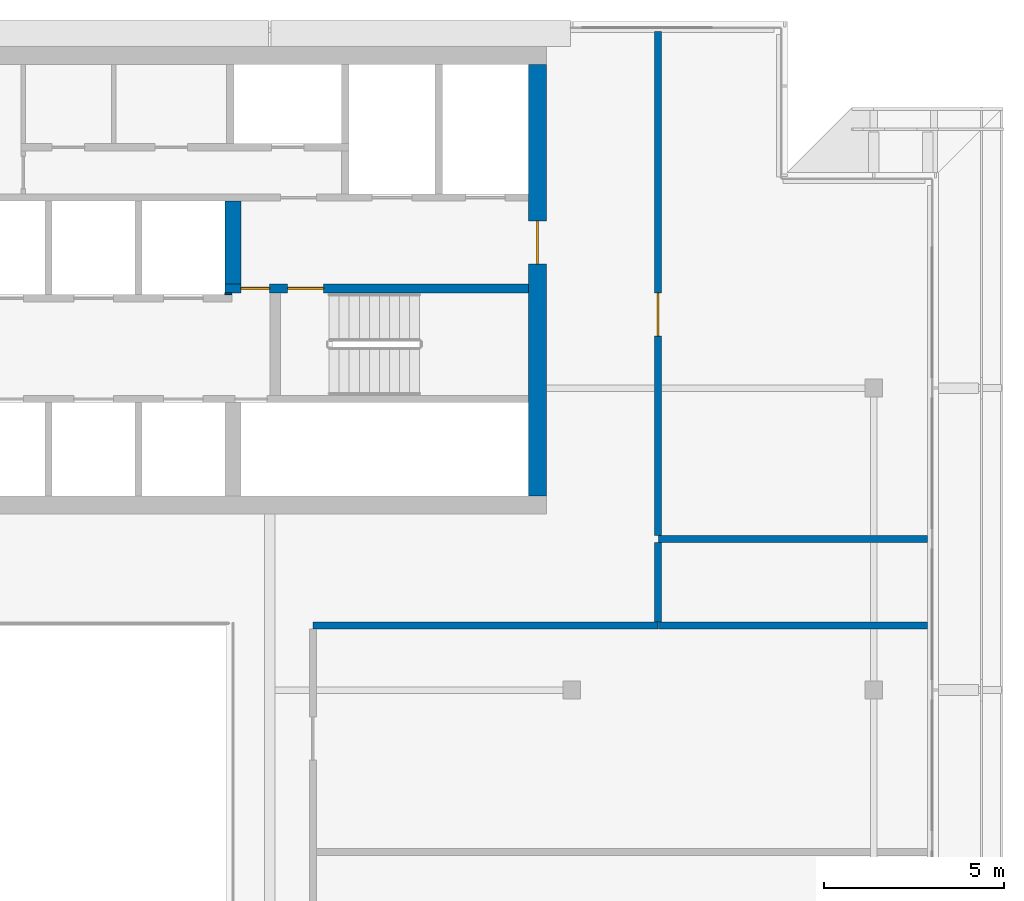
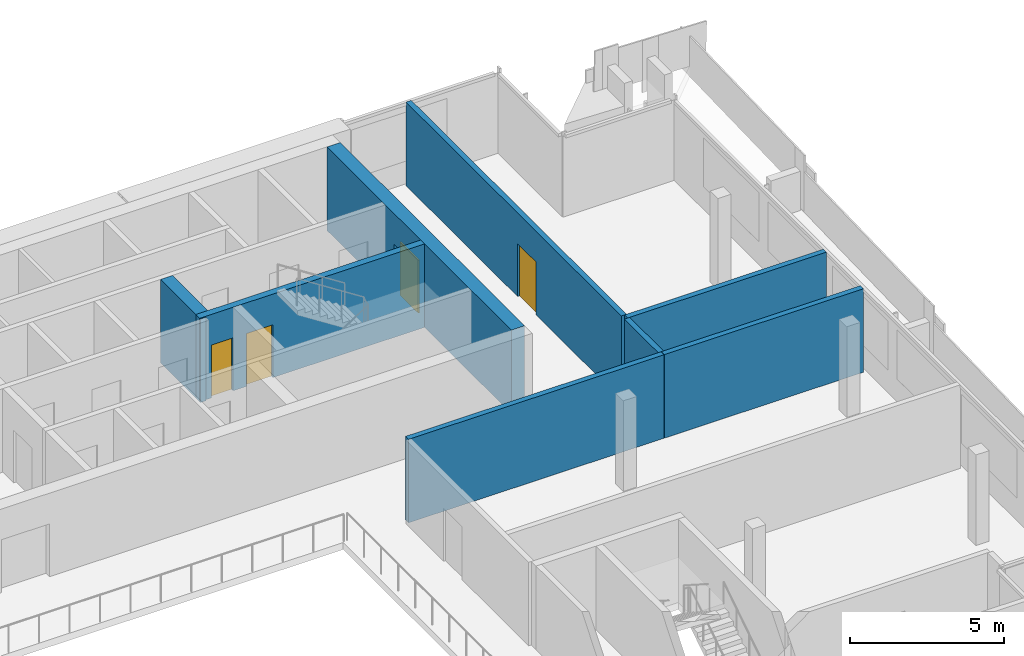
# One storey, part 13 of 20: 9 walls, 4 doors, 4 openings.
"""IFC4 building model written with IfcOpenShell, lengths in metres."""

from ifc_helpers import new_model, si_unit, direction, frame, frame_2d, origin, place, context, subcontext, project, spatial, rectangle, extrude, material, layer, layer_set, type_object, element, fill, save


model = new_model("IFC4")

# Units and contexts
model_context = context("Model", 3, precision=1e-05, world=origin(), true_north=direction((0.0, 1.0)))
body_context = subcontext(model_context, "Body", "Model", "MODEL_VIEW")
ifc_project = project(units=[si_unit("LENGTHUNIT", "METRE"), si_unit("AREAUNIT", "SQUARE_METRE"), si_unit("VOLUMEUNIT", "CUBIC_METRE"), si_unit("PLANEANGLEUNIT", "RADIAN"), si_unit("MASSUNIT", "GRAM", prefix="KILO")], contexts=[model_context])

# Site, building, storey
site_placement = place(None, origin())
site = spatial("IfcSite", under=ifc_project, at=site_placement, CompositionType="ELEMENT")
building_placement = place(site_placement, origin())
building = spatial("IfcBuilding", under=site, at=building_placement, Name="Saffron Gate Tower", CompositionType="ELEMENT")
storey_placement = place(building_placement, frame((0.0, 0.0, 303.14990234375)))
storey = spatial("IfcBuildingStorey", under=building, at=storey_placement, Name="L74", CompositionType="ELEMENT", Elevation=303.14990234375)

# Wall, opening, door
ifc_material_1 = material(Name="Concrete C50", Category="concrete")
ifc_layer_1 = layer(ifc_material_1, 0.5)
ifc_layer_set_1 = layer_set([ifc_layer_1], Name="CW22 RC core wall 500 C50")
wall_type_1 = type_object("IfcWallType", Name="CW22 RC core wall 500 C50", PredefinedType="SOLIDWALL", material=ifc_layer_set_1)
wall_1_placement = place(storey_placement, frame((107.64990234375, 62.39990234375, 0.0), z_axis=(0.0, 0.0, 1.0), x_axis=(0.0, 1.0, 0.0)))
wall_1 = element("IfcWall", 1, at=wall_1_placement, inside=storey, type_object=wall_type_1, Name="Wall CW22-L74-4", PredefinedType="SOLIDWALL", context=body_context, shape_type="SweptSolid", body=[
    extrude(rectangle(XDim=12.0, YDim=0.5, at=frame_2d((6.0, 0.0))), origin(), (0.0, 0.0, 1.0), 3.320068359375),
])
opening_1_placement = place(wall_1_placement, frame((6.449951171875, 0.0, 0.0)))
opening_1 = element("IfcOpeningElement", 2, at=opening_1_placement, cuts=wall_1, Name="Opening CR-08", PredefinedType="OPENING", context=body_context, shape_type="SweptSolid", body=[
    extrude(rectangle(XDim=1.199951171875, YDim=2.10009765625, at=frame_2d((0.60009765625, 1.050048828125))), frame((0.0, 0.260009765625, 0.0), z_axis=(0.0, -1.0, 0.0), x_axis=(1.0, 0.0, 0.0)), (0.0, 0.0, 1.0), 0.52001953125),
])
ifc_material_2 = material(Name="Steel fire door set", Category="steel")
door_type_1 = type_object("IfcDoorType", Name="CD7 Core entrance door 1200x2100 EI 120", OperationType="NOTDEFINED", PredefinedType="DOOR", material=ifc_material_2)
door_1_placement = place(opening_1_placement, origin())
door_1 = element("IfcDoor", 3, at=door_1_placement, inside=storey, type_object=door_type_1, Name="DOOR CR-08", OperationType="SINGLE_SWING_RIGHT", OverallHeight=2.10009765625, OverallWidth=1.199951171875, PredefinedType="DOOR", context=body_context, shape_type="SweptSolid", body=[
    extrude(rectangle(XDim=1.199951171875, YDim=2.10009765625, at=frame_2d((0.60009765625, 1.050048828125))), frame((0.0, 0.02490234375, 0.0), z_axis=(0.0, -1.0, 0.0), x_axis=(1.0, 0.0, 0.0)), (0.0, 0.0, 1.0), 0.050048828125),
])
fill(opening_1, door_1)

# Wall, openings, doors
ifc_layer_2 = layer(ifc_material_1, 0.25)
ifc_layer_set_2 = layer_set([ifc_layer_2], Name="CW23 RC core wall 250 C50")
wall_type_2 = type_object("IfcWallType", Name="CW23 RC core wall 250 C50", PredefinedType="SOLIDWALL", material=ifc_layer_set_2)
wall_2_placement = place(storey_placement, frame((98.949951171875, 68.175048828125, 0.0), z_axis=(0.0, 0.0, 1.0), x_axis=(1.0, 0.0, 0.0)))
wall_2 = element("IfcWall", 4, at=wall_2_placement, inside=storey, type_object=wall_type_2, Name="Wall CW23-L74-28", PredefinedType="SOLIDWALL", context=body_context, shape_type="SweptSolid", body=[
    extrude(rectangle(XDim=8.449951171875, YDim=0.25, at=frame_2d((4.22509765625, 0.0))), origin(), (0.0, 0.0, 1.0), 3.320068359375),
])
opening_2_placement = place(wall_2_placement, frame((0.449951171875, 0.0, 0.0)))
opening_2 = element("IfcOpeningElement", 5, at=opening_2_placement, cuts=wall_2, Name="Opening CR-05", PredefinedType="OPENING", context=body_context, shape_type="SweptSolid", body=[
    extrude(rectangle(XDim=0.800048828125, YDim=2.10009765625, at=frame_2d((0.39990234375, 1.050048828125))), frame((0.0, 0.135009765625, 0.0), z_axis=(0.0, -1.0, 0.0), x_axis=(1.0, 0.0, 0.0)), (0.0, 0.0, 1.0), 0.27001953125),
])
opening_3_placement = place(wall_2_placement, frame((1.75, 0.0, 0.0)))
opening_3 = element("IfcOpeningElement", 6, at=opening_3_placement, cuts=wall_2, Name="Opening CR-16", PredefinedType="OPENING", context=body_context, shape_type="SweptSolid", body=[
    extrude(rectangle(XDim=1.0, YDim=2.10009765625, at=frame_2d((0.5, 1.050048828125))), frame((0.0, 0.135009765625, 0.0), z_axis=(0.0, -1.0, 0.0), x_axis=(1.0, 0.0, 0.0)), (0.0, 0.0, 1.0), 0.27001953125),
])
door_type_2 = type_object("IfcDoorType", Name="CD5 Stair door 1000x2100 EI 120", OperationType="NOTDEFINED", PredefinedType="DOOR", material=ifc_material_2)
door_2_placement = place(opening_3_placement, origin())
door_2 = element("IfcDoor", 7, at=door_2_placement, inside=storey, type_object=door_type_2, Name="DOOR CR-16", OperationType="SINGLE_SWING_RIGHT", OverallHeight=2.10009765625, OverallWidth=1.0, PredefinedType="DOOR", context=body_context, shape_type="SweptSolid", body=[
    extrude(rectangle(XDim=1.0, YDim=2.10009765625, at=frame_2d((0.5, 1.050048828125))), frame((0.0, 0.02490234375, 0.0), z_axis=(0.0, -1.0, 0.0), x_axis=(1.0, 0.0, 0.0)), (0.0, 0.0, 1.0), 0.050048828125),
])
fill(opening_3, door_2)
door_type_3 = type_object("IfcDoorType", Name="CD6 Lobby door 800x2100 EI 120", OperationType="NOTDEFINED", PredefinedType="DOOR", material=ifc_material_2)
door_3_placement = place(opening_2_placement, origin())
door_3 = element("IfcDoor", 8, at=door_3_placement, inside=storey, type_object=door_type_3, Name="DOOR CR-05", OperationType="SINGLE_SWING_LEFT", OverallHeight=2.10009765625, OverallWidth=0.800048828125, PredefinedType="DOOR", context=body_context, shape_type="SweptSolid", body=[
    extrude(rectangle(XDim=0.800048828125, YDim=2.10009765625, at=frame_2d((0.39990234375, 1.050048828125))), frame((0.0, 0.02490234375, 0.0), z_axis=(0.0, -1.0, 0.0), x_axis=(1.0, 0.0, 0.0)), (0.0, 0.0, 1.0), 0.050048828125),
])
fill(opening_2, door_3)

# Walls
ifc_layer_3 = layer(ifc_material_1, 0.449951171875)
ifc_layer_set_3 = layer_set([ifc_layer_3], Name="CW24 RC core wall 450 C50")
wall_type_3 = type_object("IfcWallType", Name="CW24 RC core wall 450 C50", PredefinedType="SOLIDWALL", material=ifc_layer_set_3)
wall_3_placement = place(storey_placement, frame((99.175048828125, 68.300048828125, 0.0), z_axis=(0.0, 0.0, 1.0), x_axis=(0.0, 1.0, 0.0)))
element("IfcWall", 9, at=wall_3_placement, inside=storey, type_object=wall_type_3, Name="Wall CW24-L74-30", PredefinedType="SOLIDWALL", context=body_context, shape_type="SweptSolid", body=[
    extrude(rectangle(XDim=2.300048828125, YDim=0.449951171875, at=frame_2d((1.14990234375, 0.0))), origin(), (0.0, 0.0, 1.0), 3.320068359375),
])
ifc_layer_4 = layer(ifc_material_1, 0.050048828125)
ifc_layer_set_4 = layer_set([ifc_layer_4], Name="CW27 RC core wall 50 C50")
wall_type_4 = type_object("IfcWallType", Name="CW27 RC core wall 50 C50", PredefinedType="SOLIDWALL", material=ifc_layer_set_4)
wall_4_placement = place(storey_placement, frame((98.949951171875, 68.02490234375, 0.0), z_axis=(0.0, 0.0, 1.0), x_axis=(1.0, 0.0, 0.0)))
element("IfcWall", 10, at=wall_4_placement, inside=storey, type_object=wall_type_4, Name="Wall CW27-L74-26", PredefinedType="SOLIDWALL", context=body_context, shape_type="SweptSolid", body=[
    extrude(rectangle(XDim=0.199951171875, YDim=0.050048828125, at=frame_2d((0.10009765625, 0.0))), origin(), (0.0, 0.0, 1.0), 3.320068359375),
])
ifc_material_3 = material(Name="Clay brick masonry, rendered", Category="masonry")
ifc_layer_5 = layer(ifc_material_3, 0.199951171875)
ifc_layer_set_5 = layer_set([ifc_layer_5], Name="PW3 Corridor wall 200")
wall_type_5 = type_object("IfcWallType", Name="PW3 Corridor wall 200", PredefinedType="PARTITIONING", material=ifc_layer_set_5)
wall_5_placement = place(storey_placement, frame((101.39990234375, 58.800048828125, 0.0), z_axis=(0.0, 0.0, 1.0), x_axis=(1.0, 0.0, 0.0)))
element("IfcWall", 11, at=wall_5_placement, inside=storey, type_object=wall_type_5, Name="Wall E6-9", PredefinedType="PARTITIONING", context=body_context, shape_type="SweptSolid", body=[
    extrude(rectangle(XDim=9.60009765625, YDim=0.199951171875, at=frame_2d((4.800048828125, 0.0))), origin(), (0.0, 0.0, 1.0), 3.320068359375),
])

# Wall, opening, door
wall_6_placement = place(storey_placement, frame((111.0, 75.320068359375, 0.0), z_axis=(0.0, 0.0, 1.0), x_axis=(0.0, -1.0, 0.0)))
wall_6 = element("IfcWall", 12, at=wall_6_placement, inside=storey, type_object=wall_type_5, Name="Wall E6-21", PredefinedType="PARTITIONING", context=body_context, shape_type="SweptSolid", body=[
    extrude(rectangle(XDim=14.02001953125, YDim=0.199951171875, at=frame_2d((7.010009765625, 0.0))), origin(), (0.0, 0.0, 1.0), 3.320068359375),
])
opening_4_placement = place(wall_6_placement, frame((7.270263671875, 0.0, 0.0)))
opening_4 = element("IfcOpeningElement", 13, at=opening_4_placement, cuts=wall_6, Name="Opening E6-1", PredefinedType="OPENING", context=body_context, shape_type="SweptSolid", body=[
    extrude(rectangle(XDim=1.199951171875, YDim=2.10009765625, at=frame_2d((0.60009765625, 1.050048828125))), frame((0.0, 0.10986328125, 0.0), z_axis=(0.0, -1.0, 0.0), x_axis=(1.0, 0.0, 0.0)), (0.0, 0.0, 1.0), 0.219970703125),
])
ifc_material_4 = material(Name="Timber door set", Category="wood")
door_type_4 = type_object("IfcDoorType", Name="HD1 Hall door 1200x2100", OperationType="NOTDEFINED", PredefinedType="DOOR", material=ifc_material_4)
door_4_placement = place(opening_4_placement, origin())
door_4 = element("IfcDoor", 14, at=door_4_placement, inside=storey, type_object=door_type_4, Name="Door E6-1", OperationType="SINGLE_SWING_RIGHT", OverallHeight=2.10009765625, OverallWidth=1.199951171875, PredefinedType="DOOR", context=body_context, shape_type="SweptSolid", body=[
    extrude(rectangle(XDim=1.199951171875, YDim=2.10009765625, at=frame_2d((0.60009765625, 1.050048828125))), frame((0.0, 0.02490234375, 0.0), z_axis=(0.0, -1.0, 0.0), x_axis=(1.0, 0.0, 0.0)), (0.0, 0.0, 1.0), 0.050048828125),
])
fill(opening_4, door_4)

# Walls
ifc_layer_6 = layer(ifc_material_3, 0.199951171875)
ifc_layer_set_6 = layer_set([ifc_layer_6], Name="PW5 Room wall 200")
wall_type_6 = type_object("IfcWallType", Name="PW5 Room wall 200", PredefinedType="PARTITIONING", material=ifc_layer_set_6)
for number, where, z_axis, x_axis, name in (
    (15, (111.02001953125, 58.800048828125, 0.0), (0.0, 0.0, 1.0), (1.0, 0.0, 0.0), "Wall E6-11"),
    (16, (111.02001953125, 61.199951171875, 0.0), (0.0, 0.0, 1.0), (1.0, 0.0, 0.0), "Wall E6-13"),
):
    element("IfcWall", number, at=place(storey_placement, frame(where, z_axis=z_axis, x_axis=x_axis)), inside=storey, type_object=wall_type_6, Name=name, PredefinedType="PARTITIONING", context=body_context, shape_type="SweptSolid", body=[
        extrude(rectangle(XDim=7.47998046875, YDim=0.199951171875, at=frame_2d((3.739990234375, 0.0))), origin(), (0.0, 0.0, 1.0), 3.320068359375),
    ])
wall_7_placement = place(storey_placement, frame((111.0, 61.10009765625, 0.0), z_axis=(0.0, 0.0, 1.0), x_axis=(0.0, -1.0, 0.0)))
element("IfcWall", 17, at=wall_7_placement, inside=storey, type_object=wall_type_6, Name="Wall E6-22", PredefinedType="PARTITIONING", context=body_context, shape_type="SweptSolid", body=[
    extrude(rectangle(XDim=2.2001953125, YDim=0.199951171875, at=frame_2d((1.10009765625, 0.0))), origin(), (0.0, 0.0, 1.0), 3.320068359375),
])

save(model, "model.ifc")
